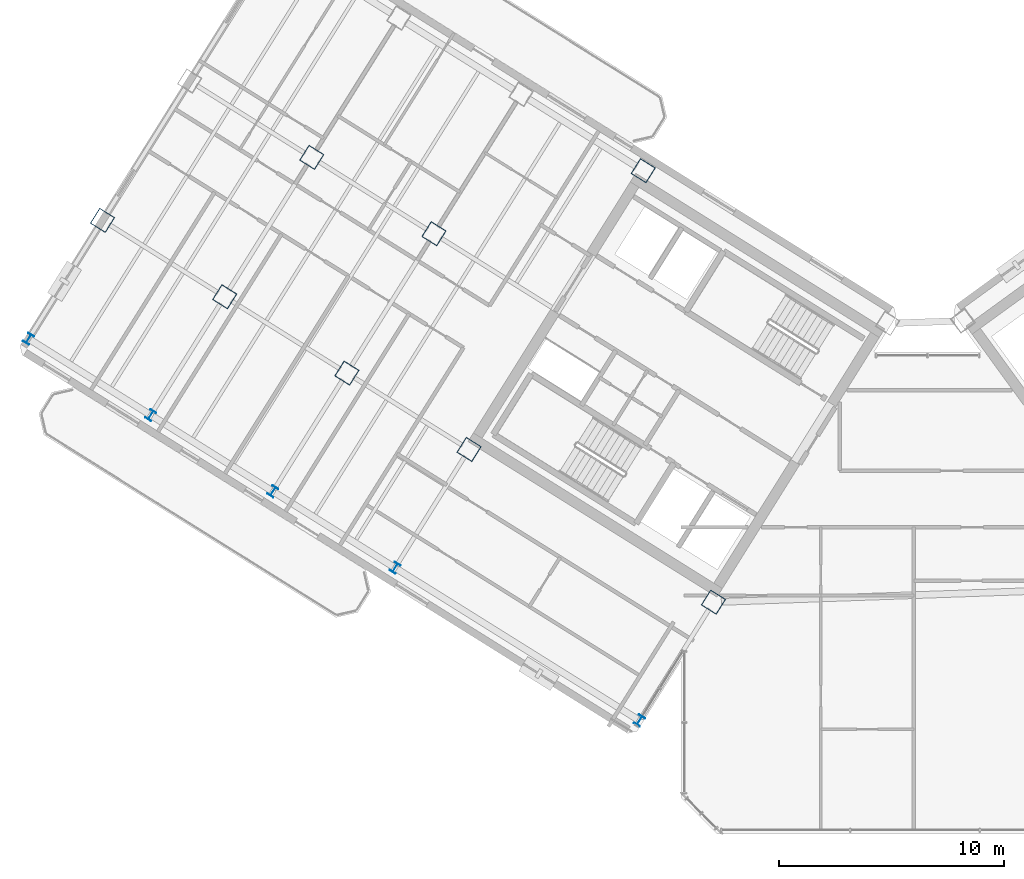
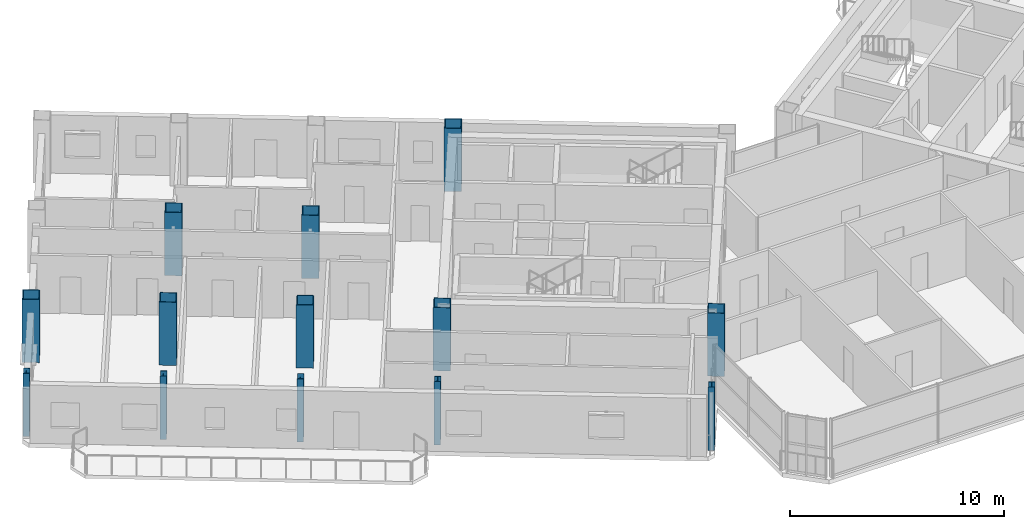
# One storey, part 1 of 27: 13 columns.
"""IFC4 building model written with IfcOpenShell, lengths in metres."""

from ifc_helpers import new_model, si_unit, direction, frame, origin, origin_2d, place, context, subcontext, project, spatial, hollow_rectangle, i_section, extrude, source, transform, mapped, material, material_profile, profile_set, type_object, element, save


model = new_model("IFC4")

# Units and contexts
model_context = context("Model", 3, precision=1e-05, world=origin(), true_north=direction((0.0, 1.0)))
body_context = subcontext(model_context, "Body", "Model", "MODEL_VIEW")
ifc_project = project(units=[si_unit("LENGTHUNIT", "METRE"), si_unit("AREAUNIT", "SQUARE_METRE"), si_unit("VOLUMEUNIT", "CUBIC_METRE"), si_unit("PLANEANGLEUNIT", "RADIAN"), si_unit("MASSUNIT", "GRAM", prefix="KILO")], contexts=[model_context])

# Site, building, storey
site_placement = place(None, origin())
site = spatial("IfcSite", under=ifc_project, at=site_placement, CompositionType="ELEMENT")
building_placement = place(site_placement, origin())
building = spatial("IfcBuilding", under=site, at=building_placement, Name="Tlacorven Tower", CompositionType="ELEMENT")
storey_placement = place(building_placement, frame((0.0, 0.0, 242.10009765625)))
storey = spatial("IfcBuildingStorey", under=building, at=storey_placement, Name="L61", CompositionType="ELEMENT", Elevation=242.10009765625)

# Columns
ifc_material_1 = material(Name="Steel S460M", Category="steel")
ifc_material_profile_1 = material_profile(ifc_material_1, hollow_rectangle(XDim=0.800048828125, YDim=0.800048828125, WallThickness=0.031982421875, at=origin_2d()), Name="BOX 800X800X32")
ifc_profile_set_1 = profile_set([ifc_material_profile_1], Name="Steel S460M")
column_type_1 = type_object("IfcColumnType", Name="COL-TWR-S3", PredefinedType="COLUMN", material=ifc_profile_set_1)
shared_shape_1 = source(origin(), body_context, "Body", "SweptSolid", [
    extrude(hollow_rectangle(XDim=0.800048828125, YDim=0.800048828125, WallThickness=0.031982421875, at=origin_2d()), origin(), (0.0, 0.0, 1.0), 3.599853515625),
])
for number, where, z_axis, x_axis, name in (
    (1, (33.046142578125, 12.0869140625, 0.0), (0.0, 0.0, 1.0), (-0.848048096156, 0.529919264233, 0.0), "L61 column COL-L61-W1-3"),
    (2, (29.927978515625, 31.25146484375, 0.0), (0.0, 0.0, 1.0), (-0.848048096156, 0.529919264233, 0.0), "L61 column COL-L61-W3-1"),
    (3, (22.191162109375, 18.869873046875, 0.0), (0.0, 0.0, 1.0), (-0.848048096156, 0.529919264233, 0.0), "L61 column COL-L61-W3-3"),
    (4, (20.632080078125, 28.4521484375, 0.0), (0.0, 0.0, 1.0), (-0.848048096156, 0.529919264233, 0.0), "L61 column COL-L61-W4-2"),
    (5, (16.763671875, 22.26123046875, 0.0), (0.0, 0.0, 1.0), (-0.848048096156, 0.529919264233, 0.0), "L61 column COL-L61-W4-3"),
    (6, (15.20458984375, 31.843505859375, 0.0), (0.0, 0.0, 1.0), (-0.848048096156, 0.529919264233, 0.0), "L61 column COL-L61-W5-2"),
    (7, (11.336181640625, 25.65283203125, 0.0), (0.0, 0.0, 1.0), (-0.848048096156, 0.529919264233, 0.0), "L61 column COL-L61-W5-3"),
    (8, (5.90869140625, 29.044189453125, 0.0), (0.0, 0.0, 1.0), (-0.848048096156, 0.529919264233, 0.0), "L61 column COL-L61-W6-3"),
):
    element("IfcColumn", number, at=place(storey_placement, frame(where, z_axis=z_axis, x_axis=x_axis)), inside=storey, type_object=column_type_1, Name=name, PredefinedType="COLUMN", context=body_context, shape_type="MappedRepresentation", body=[
        mapped(shared_shape_1, transform((0.0, 0.0, 0.0), scale=1.0)),
    ])
ifc_material_2 = material(Name="Steel S355J2", Category="steel")
ifc_material_profile_2 = material_profile(ifc_material_2, i_section(OverallWidth=0.300048828125, OverallDepth=0.449951171875, WebThickness=0.013916015625, FlangeThickness=0.02587890625, at=origin_2d()), Name="HEB 450")
ifc_profile_set_2 = profile_set([ifc_material_profile_2], Name="Steel S355J2")
column_type_2 = type_object("IfcColumnType", Name="COL-TWR-P3", PredefinedType="COLUMN", material=ifc_profile_set_2)
shared_shape_2 = source(origin(), body_context, "Body", "SweptSolid", [
    extrude(i_section(OverallWidth=0.300048828125, OverallDepth=0.449951171875, WebThickness=0.013916015625, FlangeThickness=0.02587890625, at=origin_2d()), origin(), (0.0, 0.0, 1.0), 3.599853515625),
])
for number, where, z_axis, x_axis, name in (
    (9, (29.7607421875, 6.8291015625, 0.0), (0.0, 0.0, 1.0), (-0.848048096156, 0.529919264233, 0.0), "L61 column COL-L61-W1-4"),
    (10, (18.905517578125, 13.612060546875, 0.0), (0.0, 0.0, 1.0), (-0.848048096156, 0.529919264233, 0.0), "L61 column COL-L61-W3-4"),
    (11, (13.47802734375, 17.00341796875, 0.0), (0.0, 0.0, 1.0), (-0.848048096156, 0.529919264233, 0.0), "L61 column COL-L61-W4-4"),
    (12, (8.050537109375, 20.39501953125, 0.0), (0.0, 0.0, 1.0), (-0.848048096156, 0.529919264233, 0.0), "L61 column COL-L61-W5-4"),
    (13, (2.623046875, 23.786376953125, 0.0), (0.0, 0.0, 1.0), (-0.848048096156, 0.529919264233, 0.0), "L61 column COL-L61-W6-4"),
):
    element("IfcColumn", number, at=place(storey_placement, frame(where, z_axis=z_axis, x_axis=x_axis)), inside=storey, type_object=column_type_2, Name=name, PredefinedType="COLUMN", context=body_context, shape_type="MappedRepresentation", body=[
        mapped(shared_shape_2, transform((0.0, 0.0, 0.0), scale=1.0)),
    ])

save(model, "model.ifc")
